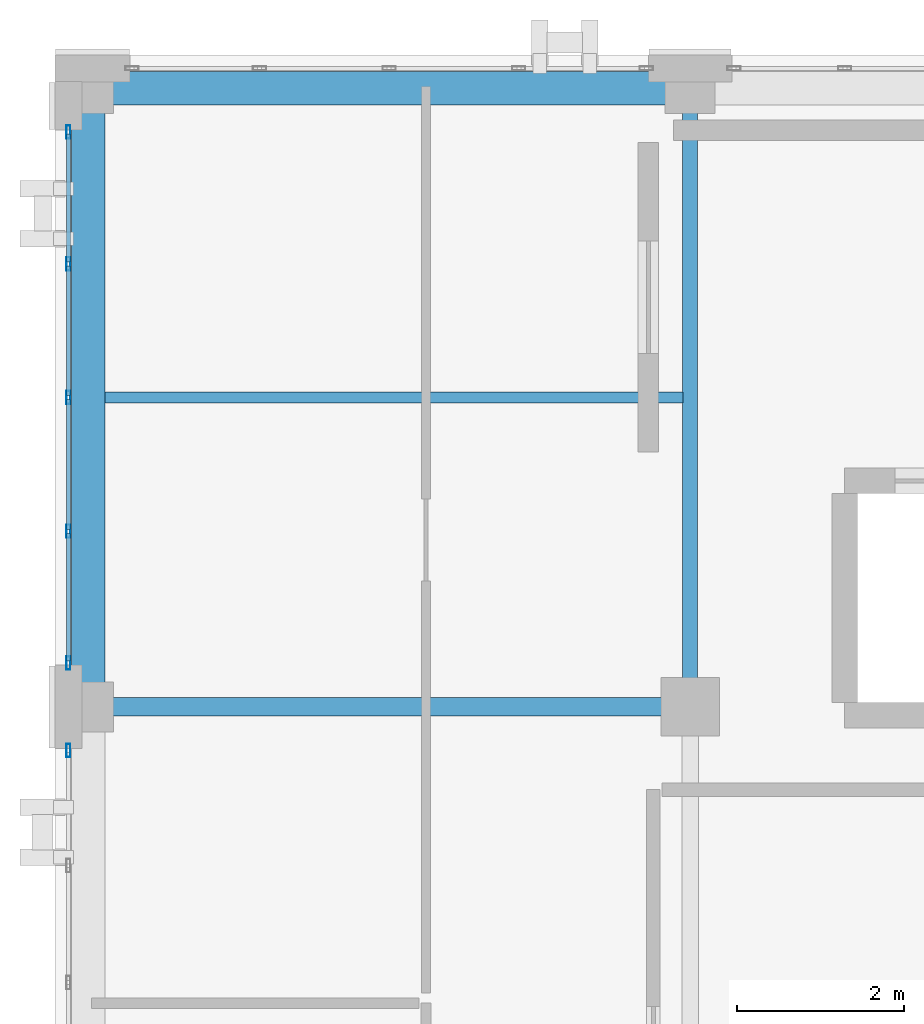
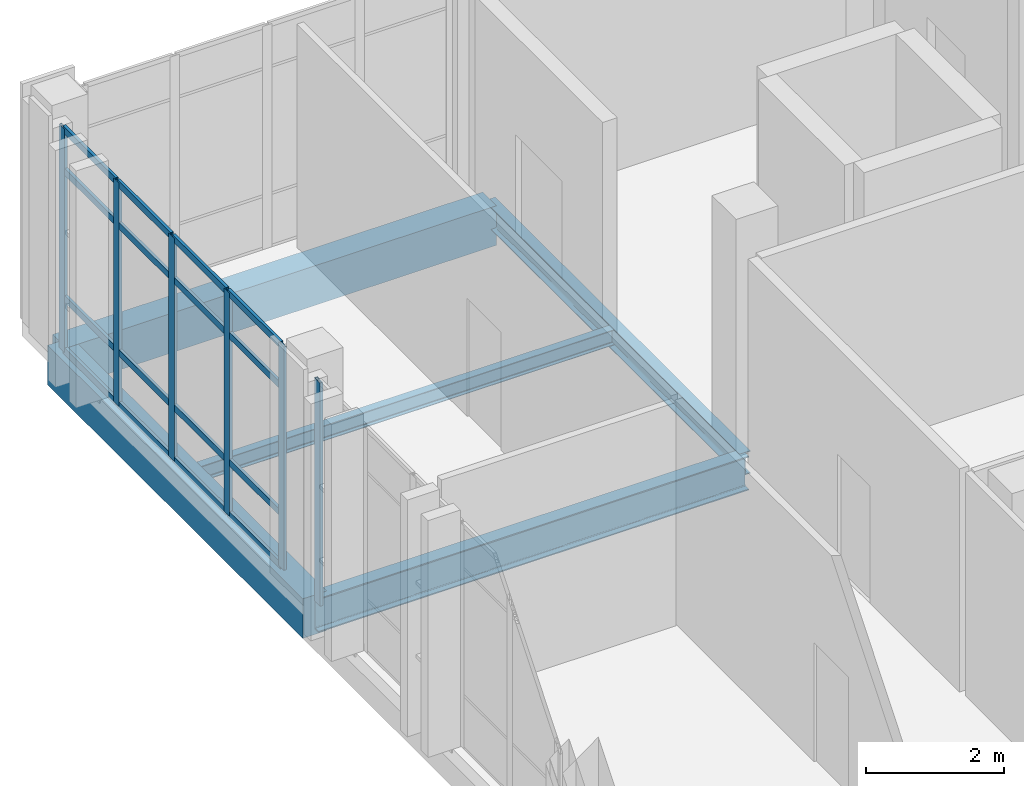
# One storey, part 10 of 19: 22 members, 5 beams, 2 elements without a shape of their own.
"""IFC4 building model written with IfcOpenShell, lengths in metres."""

from ifc_helpers import new_model, si_unit, direction, frame, origin, origin_2d, place, context, subcontext, project, spatial, rectangle, hollow_rectangle, i_section, extrude, material, layer, layer_set, material_profile, profile_set, type_object, element, aggregate, save


model = new_model("IFC4")

# Units and contexts
model_context = context("Model", 3, precision=1e-05, world=origin(), true_north=direction((0.0, 1.0)))
body_context = subcontext(model_context, "Body", "Model", "MODEL_VIEW")
ifc_project = project(units=[si_unit("LENGTHUNIT", "METRE"), si_unit("AREAUNIT", "SQUARE_METRE"), si_unit("VOLUMEUNIT", "CUBIC_METRE"), si_unit("PLANEANGLEUNIT", "RADIAN"), si_unit("MASSUNIT", "GRAM", prefix="KILO")], contexts=[model_context])

# Site, building, storey
site_placement = place(None, origin())
site = spatial("IfcSite", under=ifc_project, at=site_placement, CompositionType="ELEMENT")
building_placement = place(site_placement, origin())
building = spatial("IfcBuilding", under=site, at=building_placement, Name="Qalavern Law Courts", CompositionType="ELEMENT")
storey_placement = place(building_placement, frame((0.0, 0.0, 39.60009765625)))
storey = spatial("IfcBuildingStorey", under=building, at=storey_placement, Name="L09", CompositionType="ELEMENT", Elevation=39.60009765625)

# Curtain wall, members
ifc_material_1 = material(Name="Anodised aluminium and insulated glazing", Category="aluminium")
ifc_layer = layer(ifc_material_1, 0.159912109375)
ifc_layer_set = layer_set([ifc_layer], Name="Anodised aluminium and insulated glazing")
curtain_wall_type = type_object("IfcCurtainWallType", Name="ENV-CW-CHAMB", PredefinedType="USERDEFINED", material=ifc_layer_set)
curtain_wall_1_placement = place(storey_placement, origin())
curtain_wall_1 = element("IfcCurtainWall", 1, at=curtain_wall_1_placement, inside=storey, type_object=curtain_wall_type, Name="V4 unitised curtain wall L09 west 1", ObjectType="UNITISED CURTAIN WALL", PredefinedType="USERDEFINED")
ifc_material_2 = material(Name="Anodised aluminium", Category="aluminium")
ifc_material_profile_1 = material_profile(ifc_material_2, hollow_rectangle(XDim=0.048095703125, YDim=0.159912109375, WallThickness=0.00390625, at=origin_2d()), Name="ALU MULLION 48x160")
ifc_profile_set_1 = profile_set([ifc_material_profile_1], Name="Anodised aluminium")
member_type_1 = type_object("IfcMemberType", Name="ENV-CWM-48x160", PredefinedType="MULLION", material=ifc_profile_set_1)
member_1_placement = place(storey_placement, frame((84.362548828125, 72.27587890625, 0.0), z_axis=(0.0, 0.0, 1.0), x_axis=(1.0, 0.0, 0.0)))
member_1 = element("IfcMember", 2, at=member_1_placement, type_object=member_type_1, Name="CW-04 mullion 1", PredefinedType="MULLION", context=body_context, shape_type="SweptSolid", body=[
    extrude(hollow_rectangle(XDim=0.048095703125, YDim=0.159912109375, WallThickness=0.00390625, at=origin_2d()), origin(), (0.0, 0.0, 1.0), 3.949951171875),
])
member_2_placement = place(storey_placement, frame((84.362548828125, 70.699951171875, 0.0), z_axis=(0.0, 0.0, 1.0), x_axis=(1.0, 0.0, 0.0)))
member_2 = element("IfcMember", 3, at=member_2_placement, type_object=member_type_1, Name="CW-04 mullion 2", PredefinedType="MULLION", context=body_context, shape_type="SweptSolid", body=[
    extrude(hollow_rectangle(XDim=0.048095703125, YDim=0.159912109375, WallThickness=0.00390625, at=origin_2d()), origin(), (0.0, 0.0, 1.0), 3.949951171875),
])
member_3_placement = place(storey_placement, frame((84.362548828125, 69.10009765625, 0.0), z_axis=(0.0, 0.0, 1.0), x_axis=(1.0, 0.0, 0.0)))
member_3 = element("IfcMember", 4, at=member_3_placement, type_object=member_type_1, Name="CW-04 mullion 3", PredefinedType="MULLION", context=body_context, shape_type="SweptSolid", body=[
    extrude(hollow_rectangle(XDim=0.048095703125, YDim=0.159912109375, WallThickness=0.00390625, at=origin_2d()), origin(), (0.0, 0.0, 1.0), 3.949951171875),
])
member_4_placement = place(storey_placement, frame((84.362548828125, 67.5, 0.0), z_axis=(0.0, 0.0, 1.0), x_axis=(1.0, 0.0, 0.0)))
member_4 = element("IfcMember", 5, at=member_4_placement, type_object=member_type_1, Name="CW-04 mullion 4", PredefinedType="MULLION", context=body_context, shape_type="SweptSolid", body=[
    extrude(hollow_rectangle(XDim=0.048095703125, YDim=0.159912109375, WallThickness=0.00390625, at=origin_2d()), origin(), (0.0, 0.0, 1.0), 3.949951171875),
])
member_5_placement = place(storey_placement, frame((84.362548828125, 65.924072265625, 0.0), z_axis=(0.0, 0.0, 1.0), x_axis=(1.0, 0.0, 0.0)))
member_5 = element("IfcMember", 6, at=member_5_placement, type_object=member_type_1, Name="CW-04 mullion 5", PredefinedType="MULLION", context=body_context, shape_type="SweptSolid", body=[
    extrude(hollow_rectangle(XDim=0.048095703125, YDim=0.159912109375, WallThickness=0.00390625, at=origin_2d()), origin(), (0.0, 0.0, 1.0), 3.949951171875),
])

# Curtain wall, member
curtain_wall_2_placement = place(storey_placement, origin())
curtain_wall_2 = element("IfcCurtainWall", 7, at=curtain_wall_2_placement, inside=storey, type_object=curtain_wall_type, Name="V4 unitised curtain wall L09 west 2", ObjectType="UNITISED CURTAIN WALL", PredefinedType="USERDEFINED")
member_6_placement = place(storey_placement, frame((84.362548828125, 64.8759765625, 0.0), z_axis=(0.0, 0.0, 1.0), x_axis=(1.0, 0.0, 0.0)))
member_6 = element("IfcMember", 8, at=member_6_placement, type_object=member_type_1, Name="CW-04 mullion 1", PredefinedType="MULLION", context=body_context, shape_type="SweptSolid", body=[
    extrude(hollow_rectangle(XDim=0.048095703125, YDim=0.159912109375, WallThickness=0.00390625, at=origin_2d()), origin(), (0.0, 0.0, 1.0), 3.949951171875),
])
aggregate(curtain_wall_2, [member_6])

# Member
ifc_material_profile_2 = material_profile(ifc_material_2, hollow_rectangle(XDim=0.048095703125, YDim=0.1201171875, WallThickness=0.00390625, at=origin_2d()), Name="ALU TRANSOM 48x120")
ifc_profile_set_2 = profile_set([ifc_material_profile_2], Name="Anodised aluminium")
member_type_2 = type_object("IfcMemberType", Name="ENV-CWT-48x120", PredefinedType="USERDEFINED", material=ifc_profile_set_2)
member_7_placement = place(storey_placement, frame((84.362548828125, 72.251953125, 0.02392578125), z_axis=(0.0, -1.0, 0.0), x_axis=(1.0, 0.0, 0.0)))
member_7 = element("IfcMember", 9, at=member_7_placement, type_object=member_type_2, Name="CW-04 transom 1.1", ObjectType="TRANSOM", PredefinedType="USERDEFINED", context=body_context, shape_type="SweptSolid", body=[
    extrude(hollow_rectangle(XDim=0.048095703125, YDim=0.1201171875, WallThickness=0.00390625, at=origin_2d()), origin(), (0.0, 0.0, 1.0), 1.52783203125),
])

member_8_placement = place(storey_placement, frame((84.362548828125, 72.251953125, 0.949951171875), z_axis=(0.0, -1.0, 0.0), x_axis=(1.0, 0.0, 0.0)))
member_8 = element("IfcMember", 10, at=member_8_placement, type_object=member_type_2, Name="CW-04 transom 1.2", ObjectType="TRANSOM", PredefinedType="USERDEFINED", context=body_context, shape_type="SweptSolid", body=[
    extrude(hollow_rectangle(XDim=0.048095703125, YDim=0.1201171875, WallThickness=0.00390625, at=origin_2d()), origin(), (0.0, 0.0, 1.0), 1.52783203125),
])

member_9_placement = place(storey_placement, frame((84.362548828125, 72.251953125, 3.199951171875), z_axis=(0.0, -1.0, 0.0), x_axis=(1.0, 0.0, 0.0)))
member_9 = element("IfcMember", 11, at=member_9_placement, type_object=member_type_2, Name="CW-04 transom 1.3", ObjectType="TRANSOM", PredefinedType="USERDEFINED", context=body_context, shape_type="SweptSolid", body=[
    extrude(hollow_rectangle(XDim=0.048095703125, YDim=0.1201171875, WallThickness=0.00390625, at=origin_2d()), origin(), (0.0, 0.0, 1.0), 1.52783203125),
])

member_10_placement = place(storey_placement, frame((84.362548828125, 72.251953125, 3.92578125), z_axis=(0.0, -1.0, 0.0), x_axis=(1.0, 0.0, 0.0)))
member_10 = element("IfcMember", 12, at=member_10_placement, type_object=member_type_2, Name="CW-04 transom 1.4", ObjectType="TRANSOM", PredefinedType="USERDEFINED", context=body_context, shape_type="SweptSolid", body=[
    extrude(hollow_rectangle(XDim=0.048095703125, YDim=0.1201171875, WallThickness=0.00390625, at=origin_2d()), origin(), (0.0, 0.0, 1.0), 1.52783203125),
])

member_11_placement = place(storey_placement, frame((84.362548828125, 70.676025390625, 0.02392578125), z_axis=(0.0, -1.0, 0.0), x_axis=(1.0, 0.0, 0.0)))
member_11 = element("IfcMember", 13, at=member_11_placement, type_object=member_type_2, Name="CW-04 transom 2.1", ObjectType="TRANSOM", PredefinedType="USERDEFINED", context=body_context, shape_type="SweptSolid", body=[
    extrude(hollow_rectangle(XDim=0.048095703125, YDim=0.1201171875, WallThickness=0.00390625, at=origin_2d()), origin(), (0.0, 0.0, 1.0), 1.552001953125),
])

member_12_placement = place(storey_placement, frame((84.362548828125, 70.676025390625, 0.949951171875), z_axis=(0.0, -1.0, 0.0), x_axis=(1.0, 0.0, 0.0)))
member_12 = element("IfcMember", 14, at=member_12_placement, type_object=member_type_2, Name="CW-04 transom 2.2", ObjectType="TRANSOM", PredefinedType="USERDEFINED", context=body_context, shape_type="SweptSolid", body=[
    extrude(hollow_rectangle(XDim=0.048095703125, YDim=0.1201171875, WallThickness=0.00390625, at=origin_2d()), origin(), (0.0, 0.0, 1.0), 1.552001953125),
])

member_13_placement = place(storey_placement, frame((84.362548828125, 70.676025390625, 3.199951171875), z_axis=(0.0, -1.0, 0.0), x_axis=(1.0, 0.0, 0.0)))
member_13 = element("IfcMember", 15, at=member_13_placement, type_object=member_type_2, Name="CW-04 transom 2.3", ObjectType="TRANSOM", PredefinedType="USERDEFINED", context=body_context, shape_type="SweptSolid", body=[
    extrude(hollow_rectangle(XDim=0.048095703125, YDim=0.1201171875, WallThickness=0.00390625, at=origin_2d()), origin(), (0.0, 0.0, 1.0), 1.552001953125),
])

member_14_placement = place(storey_placement, frame((84.362548828125, 70.676025390625, 3.92578125), z_axis=(0.0, -1.0, 0.0), x_axis=(1.0, 0.0, 0.0)))
member_14 = element("IfcMember", 16, at=member_14_placement, type_object=member_type_2, Name="CW-04 transom 2.4", ObjectType="TRANSOM", PredefinedType="USERDEFINED", context=body_context, shape_type="SweptSolid", body=[
    extrude(hollow_rectangle(XDim=0.048095703125, YDim=0.1201171875, WallThickness=0.00390625, at=origin_2d()), origin(), (0.0, 0.0, 1.0), 1.552001953125),
])

member_15_placement = place(storey_placement, frame((84.362548828125, 69.075927734375, 0.02392578125), z_axis=(0.0, -1.0, 0.0), x_axis=(1.0, 0.0, 0.0)))
member_15 = element("IfcMember", 17, at=member_15_placement, type_object=member_type_2, Name="CW-04 transom 3.1", ObjectType="TRANSOM", PredefinedType="USERDEFINED", context=body_context, shape_type="SweptSolid", body=[
    extrude(hollow_rectangle(XDim=0.048095703125, YDim=0.1201171875, WallThickness=0.00390625, at=origin_2d()), origin(), (0.0, 0.0, 1.0), 1.552001953125),
])

member_16_placement = place(storey_placement, frame((84.362548828125, 69.075927734375, 0.949951171875), z_axis=(0.0, -1.0, 0.0), x_axis=(1.0, 0.0, 0.0)))
member_16 = element("IfcMember", 18, at=member_16_placement, type_object=member_type_2, Name="CW-04 transom 3.2", ObjectType="TRANSOM", PredefinedType="USERDEFINED", context=body_context, shape_type="SweptSolid", body=[
    extrude(hollow_rectangle(XDim=0.048095703125, YDim=0.1201171875, WallThickness=0.00390625, at=origin_2d()), origin(), (0.0, 0.0, 1.0), 1.552001953125),
])

member_17_placement = place(storey_placement, frame((84.362548828125, 69.075927734375, 3.199951171875), z_axis=(0.0, -1.0, 0.0), x_axis=(1.0, 0.0, 0.0)))
member_17 = element("IfcMember", 19, at=member_17_placement, type_object=member_type_2, Name="CW-04 transom 3.3", ObjectType="TRANSOM", PredefinedType="USERDEFINED", context=body_context, shape_type="SweptSolid", body=[
    extrude(hollow_rectangle(XDim=0.048095703125, YDim=0.1201171875, WallThickness=0.00390625, at=origin_2d()), origin(), (0.0, 0.0, 1.0), 1.552001953125),
])

member_18_placement = place(storey_placement, frame((84.362548828125, 69.075927734375, 3.92578125), z_axis=(0.0, -1.0, 0.0), x_axis=(1.0, 0.0, 0.0)))
member_18 = element("IfcMember", 20, at=member_18_placement, type_object=member_type_2, Name="CW-04 transom 3.4", ObjectType="TRANSOM", PredefinedType="USERDEFINED", context=body_context, shape_type="SweptSolid", body=[
    extrude(hollow_rectangle(XDim=0.048095703125, YDim=0.1201171875, WallThickness=0.00390625, at=origin_2d()), origin(), (0.0, 0.0, 1.0), 1.552001953125),
])

member_19_placement = place(storey_placement, frame((84.362548828125, 67.47607421875, 0.02392578125), z_axis=(0.0, -1.0, 0.0), x_axis=(1.0, 0.0, 0.0)))
member_19 = element("IfcMember", 21, at=member_19_placement, type_object=member_type_2, Name="CW-04 transom 4.1", ObjectType="TRANSOM", PredefinedType="USERDEFINED", context=body_context, shape_type="SweptSolid", body=[
    extrude(hollow_rectangle(XDim=0.048095703125, YDim=0.1201171875, WallThickness=0.00390625, at=origin_2d()), origin(), (0.0, 0.0, 1.0), 1.528076171875),
])

member_20_placement = place(storey_placement, frame((84.362548828125, 67.47607421875, 0.949951171875), z_axis=(0.0, -1.0, 0.0), x_axis=(1.0, 0.0, 0.0)))
member_20 = element("IfcMember", 22, at=member_20_placement, type_object=member_type_2, Name="CW-04 transom 4.2", ObjectType="TRANSOM", PredefinedType="USERDEFINED", context=body_context, shape_type="SweptSolid", body=[
    extrude(hollow_rectangle(XDim=0.048095703125, YDim=0.1201171875, WallThickness=0.00390625, at=origin_2d()), origin(), (0.0, 0.0, 1.0), 1.528076171875),
])

member_21_placement = place(storey_placement, frame((84.362548828125, 67.47607421875, 3.199951171875), z_axis=(0.0, -1.0, 0.0), x_axis=(1.0, 0.0, 0.0)))
member_21 = element("IfcMember", 23, at=member_21_placement, type_object=member_type_2, Name="CW-04 transom 4.3", ObjectType="TRANSOM", PredefinedType="USERDEFINED", context=body_context, shape_type="SweptSolid", body=[
    extrude(hollow_rectangle(XDim=0.048095703125, YDim=0.1201171875, WallThickness=0.00390625, at=origin_2d()), origin(), (0.0, 0.0, 1.0), 1.528076171875),
])

member_22_placement = place(storey_placement, frame((84.362548828125, 67.47607421875, 3.92578125), z_axis=(0.0, -1.0, 0.0), x_axis=(1.0, 0.0, 0.0)))
member_22 = element("IfcMember", 24, at=member_22_placement, type_object=member_type_2, Name="CW-04 transom 4.4", ObjectType="TRANSOM", PredefinedType="USERDEFINED", context=body_context, shape_type="SweptSolid", body=[
    extrude(hollow_rectangle(XDim=0.048095703125, YDim=0.1201171875, WallThickness=0.00390625, at=origin_2d()), origin(), (0.0, 0.0, 1.0), 1.528076171875),
])

aggregate(curtain_wall_1, [member_1, member_2, member_3, member_4, member_5, member_7, member_8, member_9, member_10, member_11, member_12, member_13, member_14, member_15, member_16, member_17, member_18, member_19, member_20, member_21, member_22])

# Beams
ifc_material_3 = material(Name="Steel S355", Category="steel")
ifc_material_profile_3 = material_profile(ifc_material_3, i_section(OverallWidth=0.179931640625, OverallDepth=0.39990234375, WebThickness=0.008544921875, FlangeThickness=0.013427734375, FilletRadius=0.02099609375, at=origin_2d()), Name="IPE 400")
ifc_profile_set_3 = profile_set([ifc_material_profile_3], Name="Steel S355")
beam_type_1 = type_object("IfcBeamType", Name="STR-BM-IPE400", PredefinedType="BEAM", material=ifc_profile_set_3)
beam_1_placement = place(storey_placement, frame((91.800048828125, 65.39990234375, -0.455078125), z_axis=(0.0, 1.0, 0.0), x_axis=(-1.0, 0.0, 0.0)))
element("IfcBeam", 25, at=beam_1_placement, inside=storey, type_object=beam_type_1, Name="V4 Y-beam 2-3 L09", PredefinedType="BEAM", context=body_context, shape_type="SweptSolid", body=[
    extrude(i_section(OverallWidth=0.179931640625, OverallDepth=0.39990234375, WebThickness=0.008544921875, FlangeThickness=0.013427734375, FilletRadius=0.02099609375, at=origin_2d()), origin(), (0.0, 0.0, 1.0), 7.400146484375),
])
ifc_material_profile_4 = material_profile(ifc_material_3, i_section(OverallWidth=0.219970703125, OverallDepth=0.60009765625, WebThickness=0.011962890625, FlangeThickness=0.01904296875, FilletRadius=0.02392578125, at=origin_2d()), Name="IPE 600")
ifc_profile_set_4 = profile_set([ifc_material_profile_4], Name="Steel S355")
beam_type_2 = type_object("IfcBeamType", Name="STR-BM-IPE600", PredefinedType="BEAM", material=ifc_profile_set_4)
beam_2_placement = place(storey_placement, frame((84.60009765625, 65.39990234375, -0.55517578125), z_axis=(1.0, 0.0, 0.0), x_axis=(0.0, 1.0, 0.0)))
element("IfcBeam", 26, at=beam_2_placement, inside=storey, type_object=beam_type_2, Name="V4 X-beam 4-1 L09", PredefinedType="BEAM", context=body_context, shape_type="SweptSolid", body=[
    extrude(i_section(OverallWidth=0.219970703125, OverallDepth=0.60009765625, WebThickness=0.011962890625, FlangeThickness=0.01904296875, FilletRadius=0.02392578125, at=origin_2d()), origin(), (0.0, 0.0, 1.0), 7.199951171875),
])
ifc_material_profile_5 = material_profile(ifc_material_3, i_section(OverallWidth=0.135009765625, OverallDepth=0.27001953125, WebThickness=0.006591796875, FlangeThickness=0.01025390625, FilletRadius=0.014892578125, at=origin_2d()), Name="IPE 270")
ifc_profile_set_5 = profile_set([ifc_material_profile_5], Name="Steel S355")
beam_type_3 = type_object("IfcBeamType", Name="STR-JST-IPE270", PredefinedType="JOIST", material=ifc_profile_set_5)
beam_3_placement = place(storey_placement, frame((84.798095703125, 69.10009765625, -0.39013671875), z_axis=(1.0, 0.0, 0.0), x_axis=(0.0, 1.0, 0.0)))
element("IfcBeam", 27, at=beam_3_placement, inside=storey, type_object=beam_type_3, Name="V4 secondary joist 1.4.1 L09", PredefinedType="JOIST", context=body_context, shape_type="SweptSolid", body=[
    extrude(i_section(OverallWidth=0.135009765625, OverallDepth=0.27001953125, WebThickness=0.006591796875, FlangeThickness=0.01025390625, FilletRadius=0.014892578125, at=origin_2d()), origin(), (0.0, 0.0, 1.0), 6.913818359375),
])
ifc_material_4 = material(Name="Concrete C40/50", Category="concrete")
ifc_material_profile_6 = material_profile(ifc_material_4, rectangle(XDim=0.39990234375, YDim=0.699951171875, at=origin_2d()), Name="RC 400x700")
ifc_profile_set_6 = profile_set([ifc_material_profile_6], Name="Concrete C40/50")
beam_type_4 = type_object("IfcBeamType", Name="STR-SP-RC400x700", PredefinedType="SPANDREL", material=ifc_profile_set_6)
beam_4_placement = place(storey_placement, frame((84.60009765625, 72.800048828125, -0.60498046875), z_axis=(1.0, 0.0, 0.0), x_axis=(0.0, 1.0, 0.0)))
element("IfcBeam", 28, at=beam_4_placement, inside=storey, type_object=beam_type_4, Name="V4 X-beam 5-1 L09", PredefinedType="SPANDREL", context=body_context, shape_type="SweptSolid", body=[
    extrude(rectangle(XDim=0.39990234375, YDim=0.699951171875, at=origin_2d()), origin(), (0.0, 0.0, 1.0), 7.199951171875),
])
beam_5_placement = place(storey_placement, frame((84.60009765625, 65.39990234375, -0.60498046875), z_axis=(0.0, 1.0, 0.0), x_axis=(-1.0, 0.0, 0.0)))
element("IfcBeam", 29, at=beam_5_placement, inside=storey, type_object=beam_type_4, Name="V4 Y-beam 1-4 L09", PredefinedType="SPANDREL", context=body_context, shape_type="SweptSolid", body=[
    extrude(rectangle(XDim=0.39990234375, YDim=0.699951171875, at=origin_2d()), origin(), (0.0, 0.0, 1.0), 7.400146484375),
])

save(model, "model.ifc")
